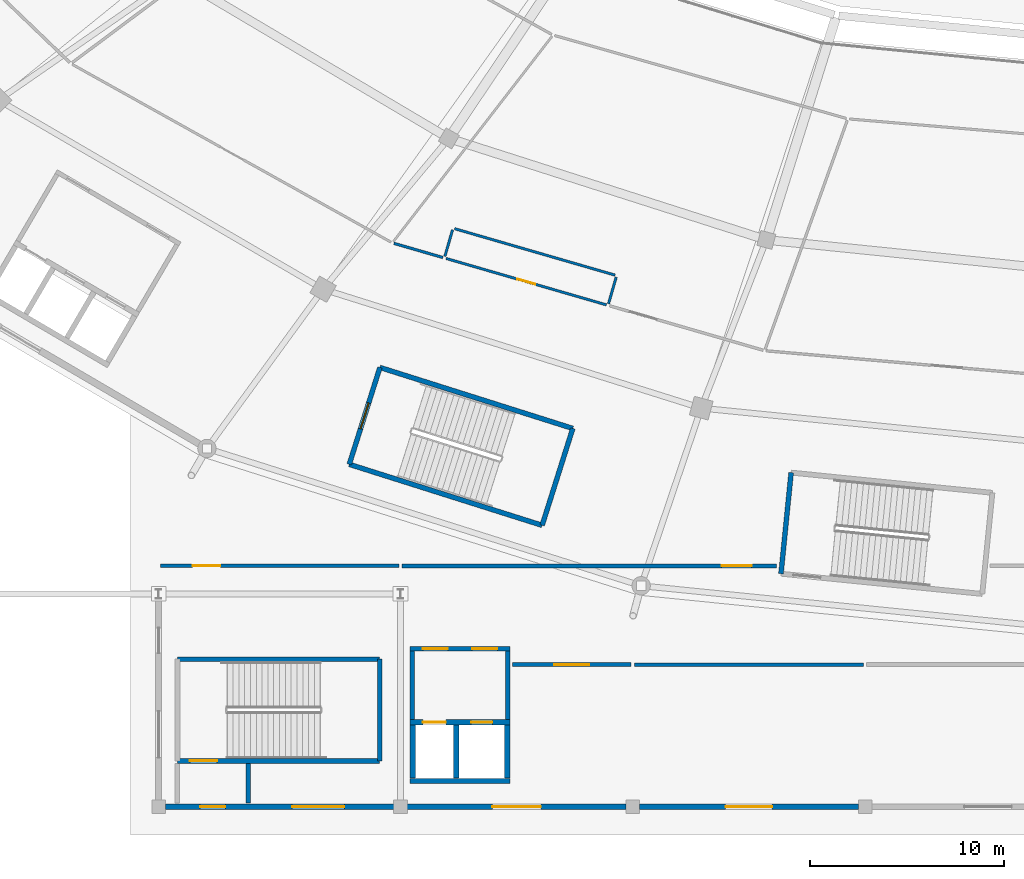
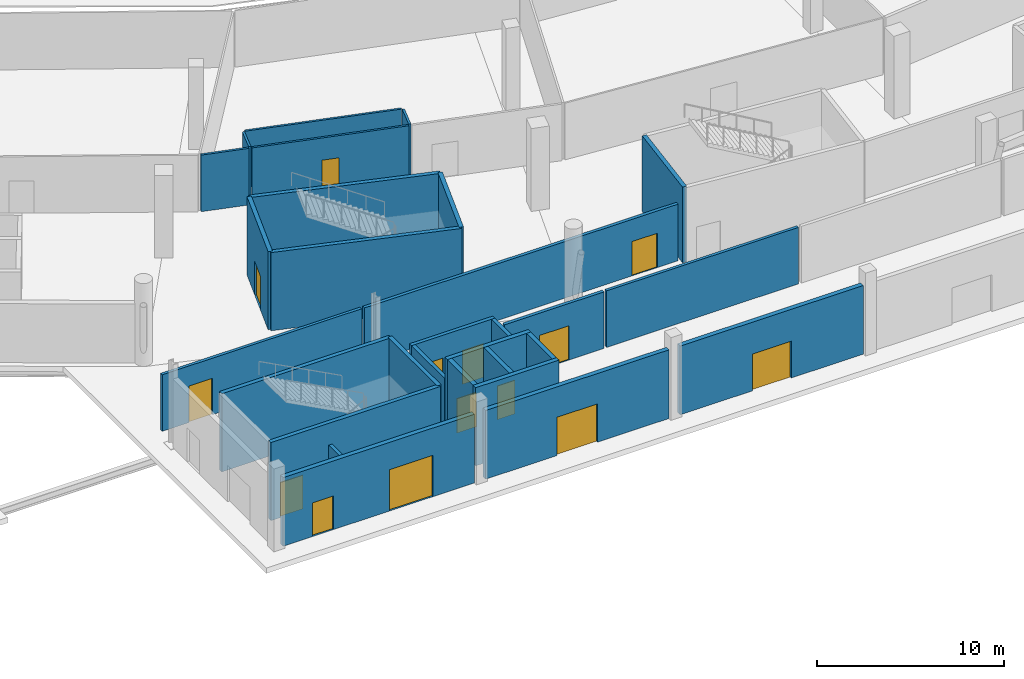
# One storey, part 38 of 82: 29 walls, 14 doors, 14 openings.
"""IFC4 building model written with IfcOpenShell, lengths in metres."""

from ifc_helpers import new_model, si_unit, direction, frame, frame_2d, origin, place, context, subcontext, project, spatial, rectangle, extrude, material, layer, layer_set, type_object, element, fill, save


model = new_model("IFC4")

# Units and contexts
model_context = context("Model", 3, precision=1e-05, world=origin(), true_north=direction((0.0, 1.0)))
body_context = subcontext(model_context, "Body", "Model", "MODEL_VIEW")
ifc_project = project(units=[si_unit("LENGTHUNIT", "METRE"), si_unit("AREAUNIT", "SQUARE_METRE"), si_unit("VOLUMEUNIT", "CUBIC_METRE"), si_unit("PLANEANGLEUNIT", "RADIAN"), si_unit("MASSUNIT", "GRAM", prefix="KILO")], contexts=[model_context])

# Site, building, storey
site_placement = place(None, origin())
site = spatial("IfcSite", under=ifc_project, at=site_placement, CompositionType="ELEMENT")
building_placement = place(site_placement, origin())
building = spatial("IfcBuilding", under=site, at=building_placement, Name="Zlatoyarsky Gate Stadium", CompositionType="ELEMENT")
storey_placement = place(building_placement, origin())
storey = spatial("IfcBuildingStorey", under=building, at=storey_placement, Name="L00", CompositionType="ELEMENT", Elevation=0.0)

# Wall
ifc_material_1 = material(Name="Moisture-resistant masonry partition", Category="masonry")
ifc_layer_1 = layer(ifc_material_1, 0.139892578125)
ifc_layer_set_1 = layer_set([ifc_layer_1], Name="Moisture-resistant masonry partition")
wall_type_1 = type_object("IfcWallType", Name="ATHLETE CHANGING BLOCK PARTITION 140", PredefinedType="PARTITIONING", material=ifc_layer_set_1)
wall_1_placement = place(storey_placement, frame((74.160400390625, 29.109619140625, 0.0), z_axis=(0.0, 0.0, 1.0), x_axis=(0.960526414814, -0.278188796405, 0.0)))
element("IfcWall", 1, at=wall_1_placement, inside=storey, type_object=wall_type_1, Name="L00 interior partition PRT-L00-WCL-16", PredefinedType="PARTITIONING", context=body_context, shape_type="SweptSolid", body=[
    extrude(rectangle(XDim=2.630126953125, YDim=0.139892578125, at=frame_2d((1.31494140625, 0.0))), origin(), (0.0, 0.0, 1.0), 3.68994140625),
])

# Wall, opening, door
ifc_material_2 = material(Name="Gypsum-clad mineral wool fire partition", Category="gypsum")
ifc_layer_2 = layer(ifc_material_2, 0.199951171875)
ifc_layer_set_2 = layer_set([ifc_layer_2], Name="Gypsum-clad mineral wool fire partition")
wall_type_2 = type_object("IfcWallType", Name="COMPARTMENT FIRE PARTITION WALL 200", PredefinedType="PARTITIONING", material=ifc_layer_set_2)
wall_2_placement = place(storey_placement, frame((74.5849609375, 12.449951171875, 0.0), z_axis=(0.0, 0.0, 1.0), x_axis=(1.0, 0.0, 0.0)))
wall_2 = element("IfcWall", 2, at=wall_2_placement, inside=storey, type_object=wall_type_2, Name="L00 interior partition PRT-L00-V3SC-NW1B", PredefinedType="PARTITIONING", context=body_context, shape_type="SweptSolid", body=[
    extrude(rectangle(XDim=19.350830078125, YDim=0.199951171875, at=frame_2d((9.67529296875, 0.0))), origin(), (0.0, 0.0, 1.0), 3.68994140625),
])
opening_1_placement = place(wall_2_placement, frame((16.5, 0.0, 0.0)))
opening_1 = element("IfcOpeningElement", 3, at=opening_1_placement, cuts=wall_2, Name="Opening D-L00-198", PredefinedType="OPENING", context=body_context, shape_type="SweptSolid", body=[
    extrude(rectangle(XDim=1.56005859375, YDim=2.239990234375, at=frame_2d((0.780029296875, 1.1201171875))), frame((0.0, 0.10986328125, 0.0), z_axis=(0.0, -1.0, 0.0), x_axis=(1.0, 0.0, 0.0)), (0.0, 0.0, 1.0), 0.219970703125),
])
ifc_material_3 = material(Name="Powder-coated steel fire door", Category="steel")
door_type_1 = type_object("IfcDoorType", Name="ACOUSTIC INTERIOR DOOR 1560X2240", OperationType="NOTDEFINED", PredefinedType="DOOR", material=ifc_material_3)
door_1_placement = place(opening_1_placement, origin())
door_1 = element("IfcDoor", 4, at=door_1_placement, inside=storey, type_object=door_type_1, Name="L00 room door D-L00-198", OperationType="SINGLE_SWING_RIGHT", OverallHeight=2.239990234375, OverallWidth=1.56005859375, PredefinedType="DOOR", context=body_context, shape_type="SweptSolid", body=[
    extrude(rectangle(XDim=1.56005859375, YDim=2.239990234375, at=frame_2d((0.780029296875, 1.1201171875))), frame((0.0, 0.02490234375, 0.0), z_axis=(0.0, -1.0, 0.0), x_axis=(1.0, 0.0, 0.0)), (0.0, 0.0, 1.0), 0.050048828125),
])
fill(opening_1, door_1)

wall_3_placement = place(storey_placement, frame((80.284912109375, 7.35009765625, 0.0), z_axis=(0.0, 0.0, 1.0), x_axis=(1.0, 0.0, 0.0)))
wall_3 = element("IfcWall", 5, at=wall_3_placement, inside=storey, type_object=wall_type_2, Name="L00 interior partition PRT-L00-V3SC-S3_1", PredefinedType="PARTITIONING", context=body_context, shape_type="SweptSolid", body=[
    extrude(rectangle(XDim=6.130126953125, YDim=0.199951171875, at=frame_2d((3.06494140625, 0.0))), origin(), (0.0, 0.0, 1.0), 3.68994140625),
])
opening_2_placement = place(wall_3_placement, frame((2.155029296875, 0.0, 0.0)))
opening_2 = element("IfcOpeningElement", 6, at=opening_2_placement, cuts=wall_3, Name="Opening D-L00-202", PredefinedType="OPENING", context=body_context, shape_type="SweptSolid", body=[
    extrude(rectangle(XDim=1.820068359375, YDim=2.239990234375, at=frame_2d((0.91015625, 1.1201171875))), frame((0.0, 0.10986328125, 0.0), z_axis=(0.0, -1.0, 0.0), x_axis=(1.0, 0.0, 0.0)), (0.0, 0.0, 1.0), 0.219970703125),
])
door_type_2 = type_object("IfcDoorType", Name="ACOUSTIC INTERIOR DOOR 1820X2240", OperationType="NOTDEFINED", PredefinedType="DOOR", material=ifc_material_3)
door_2_placement = place(opening_2_placement, origin())
door_2 = element("IfcDoor", 7, at=door_2_placement, inside=storey, type_object=door_type_2, Name="L00 room door D-L00-202", OperationType="SINGLE_SWING_RIGHT", OverallHeight=2.239990234375, OverallWidth=1.820068359375, PredefinedType="DOOR", context=body_context, shape_type="SweptSolid", body=[
    extrude(rectangle(XDim=1.820068359375, YDim=2.239990234375, at=frame_2d((0.91015625, 1.1201171875))), frame((0.0, 0.02490234375, 0.0), z_axis=(0.0, -1.0, 0.0), x_axis=(1.0, 0.0, 0.0)), (0.0, 0.0, 1.0), 0.050048828125),
])
fill(opening_2, door_2)

# Walls
ifc_material_4 = material(Name="Concrete C40/50", Category="concrete")
ifc_layer_3 = layer(ifc_material_4, 0.27001953125)
ifc_layer_set_3 = layer_set([ifc_layer_3], Name="Concrete C40/50")
wall_type_3 = type_object("IfcWallType", Name="CONCRETE LIFT SHAFT SHEAR WALL 270", PredefinedType="SHEAR", material=ifc_layer_set_3)
wall_4_placement = place(storey_placement, frame((75.0, 1.3349609375, 0.0), z_axis=(0.0, 0.0, 1.0), x_axis=(1.0, 0.0, 0.0)))
element("IfcWall", 8, at=wall_4_placement, inside=storey, type_object=wall_type_3, Name="C6 L00 lift shaft rear wall", PredefinedType="SHEAR", context=body_context, shape_type="SweptSolid", body=[
    extrude(rectangle(XDim=5.14990234375, YDim=0.27001953125, at=frame_2d((2.574951171875, 0.0))), origin(), (0.0, 0.0, 1.0), 5.10009765625),
])
for number, where, z_axis, x_axis, name in (
    (9, (75.135009765625, 1.47998046875, 0.0), (0.0, 0.0, 1.0), (0.0, 1.0, 0.0), "C6 L00 lift shaft left wall"),
    (10, (80.014892578125, 1.47998046875, 0.0), (0.0, 0.0, 1.0), (0.0, 1.0, 0.0), "C6 L00 lift shaft right wall"),
    (11, (77.375, 1.47998046875, 0.0), (0.0, 0.0, 1.0), (0.0, 1.0, 0.0), "C6 L00 lift shaft divider 1"),
):
    element("IfcWall", number, at=place(storey_placement, frame(where, z_axis=z_axis, x_axis=x_axis)), inside=storey, type_object=wall_type_3, Name=name, PredefinedType="SHEAR", context=body_context, shape_type="SweptSolid", body=[
        extrude(rectangle(XDim=2.739990234375, YDim=0.27001953125, at=frame_2d((1.3701171875, 0.0))), origin(), (0.0, 0.0, 1.0), 5.10009765625),
    ])

# Wall, openings, doors
wall_5_placement = place(storey_placement, frame((75.0, 4.364990234375, 0.0), z_axis=(0.0, 0.0, 1.0), x_axis=(1.0, 0.0, 0.0)))
wall_5 = element("IfcWall", 12, at=wall_5_placement, inside=storey, type_object=wall_type_3, Name="C6 L00 lift landing front wall", PredefinedType="SHEAR", context=body_context, shape_type="SweptSolid", body=[
    extrude(rectangle(XDim=5.14990234375, YDim=0.27001953125, at=frame_2d((2.574951171875, 0.0))), origin(), (0.0, 0.0, 1.0), 5.10009765625),
])
opening_3_placement = place(wall_5_placement, frame((0.64990234375, 0.0, 0.0)))
opening_3 = element("IfcOpeningElement", 13, at=opening_3_placement, cuts=wall_5, Name="Opening LD-FL-06-L00", PredefinedType="OPENING", context=body_context, shape_type="SweptSolid", body=[
    extrude(rectangle(XDim=1.199951171875, YDim=2.25, at=frame_2d((0.60009765625, 1.125))), frame((0.0, 0.14501953125, 0.0), z_axis=(0.0, -1.0, 0.0), x_axis=(1.0, 0.0, 0.0)), (0.0, 0.0, 1.0), 0.2900390625),
])
opening_4_placement = place(wall_5_placement, frame((3.14990234375, 0.0, 0.0)))
opening_4 = element("IfcOpeningElement", 14, at=opening_4_placement, cuts=wall_5, Name="Opening LD-LF-10-L00", PredefinedType="OPENING", context=body_context, shape_type="SweptSolid", body=[
    extrude(rectangle(XDim=1.10009765625, YDim=2.199951171875, at=frame_2d((0.550048828125, 1.10009765625))), frame((0.0, 0.14501953125, 0.0), z_axis=(0.0, -1.0, 0.0), x_axis=(1.0, 0.0, 0.0)), (0.0, 0.0, 1.0), 0.2900390625),
])
door_type_3 = type_object("IfcDoorType", Name="STAINLESS LIFT LANDING SLIDING DOOR 1100X2200", OperationType="DOUBLE_DOOR_SLIDING", PredefinedType="DOOR", material=ifc_material_3)
door_3_placement = place(opening_4_placement, origin())
door_3 = element("IfcDoor", 15, at=door_3_placement, inside=storey, type_object=door_type_3, Name="Lift LF-10 L00 sliding landing door", OperationType="DOUBLE_DOOR_SLIDING", OverallHeight=2.199951171875, OverallWidth=1.10009765625, PredefinedType="DOOR", context=body_context, shape_type="SweptSolid", body=[
    extrude(rectangle(XDim=1.10009765625, YDim=2.199951171875, at=frame_2d((0.550048828125, 1.10009765625))), frame((0.0, 0.02490234375, 0.0), z_axis=(0.0, -1.0, 0.0), x_axis=(1.0, 0.0, 0.0)), (0.0, 0.0, 1.0), 0.050048828125),
])
fill(opening_4, door_3)
door_type_4 = type_object("IfcDoorType", Name="STAINLESS LIFT LANDING SLIDING DOOR 1200X2250", OperationType="DOUBLE_DOOR_SLIDING", PredefinedType="DOOR", material=ifc_material_3)
door_4_placement = place(opening_3_placement, origin())
door_4 = element("IfcDoor", 16, at=door_4_placement, inside=storey, type_object=door_type_4, Name="Lift FL-06 L00 sliding landing door", OperationType="DOUBLE_DOOR_SLIDING", OverallHeight=2.25, OverallWidth=1.199951171875, PredefinedType="DOOR", context=body_context, shape_type="SweptSolid", body=[
    extrude(rectangle(XDim=1.199951171875, YDim=2.25, at=frame_2d((0.60009765625, 1.125))), frame((0.0, 0.02490234375, 0.0), z_axis=(0.0, -1.0, 0.0), x_axis=(1.0, 0.0, 0.0)), (0.0, 0.0, 1.0), 0.050048828125),
])
fill(opening_3, door_4)

# Wall, opening, door
ifc_layer_4 = layer(ifc_material_4, 0.25)
ifc_layer_set_4 = layer_set([ifc_layer_4], Name="Concrete C40/50")
wall_type_4 = type_object("IfcWallType", Name="CONCRETE STAIR CORE SHEAR WALL 250", PredefinedType="SHEAR", material=ifc_layer_set_4)
wall_6_placement = place(storey_placement, frame((73.436767578125, 22.69873046875, 0.0), z_axis=(0.0, 0.0, 1.0), x_axis=(-0.30152749866, -0.953457480726, 0.0)))
wall_6 = element("IfcWall", 17, at=wall_6_placement, inside=storey, type_object=wall_type_4, Name="ST-09 L00 stair core entrance shear wall", PredefinedType="SHEAR", context=body_context, shape_type="SweptSolid", body=[
    extrude(rectangle(XDim=5.25, YDim=0.25, at=frame_2d((2.625, 0.0))), origin(), (0.0, 0.0, 1.0), 5.10009765625),
])
opening_5_placement = place(wall_6_placement, frame((1.925048828125, 0.0, 0.0)))
opening_5 = element("IfcOpeningElement", 18, at=opening_5_placement, cuts=wall_6, Name="Opening SD-ST-09-L00", PredefinedType="OPENING", context=body_context, shape_type="SweptSolid", body=[
    extrude(rectangle(XDim=1.39990234375, YDim=2.199951171875, at=frame_2d((0.699951171875, 1.10009765625))), frame((0.0, 0.135009765625, 0.0), z_axis=(0.0, -1.0, 0.0), x_axis=(1.0, 0.0, 0.0)), (0.0, 0.0, 1.0), 0.27001953125),
])
door_type_5 = type_object("IfcDoorType", Name="STAIR CORE FIRE EXIT DOOR 1400X2200", OperationType="NOTDEFINED", PredefinedType="DOOR", material=ifc_material_3)
door_5_placement = place(opening_5_placement, frame((1.39990234375, 0.0, 0.0), z_axis=(0.0, 0.0, 1.0), x_axis=(-1.0, 0.0, 0.0)))
door_5 = element("IfcDoor", 19, at=door_5_placement, inside=storey, type_object=door_type_5, Name="ST-09 L00 stair fire door", OperationType="SINGLE_SWING_LEFT", OverallHeight=2.199951171875, OverallWidth=1.39990234375, PredefinedType="DOOR", context=body_context, shape_type="SweptSolid", body=[
    extrude(rectangle(XDim=1.39990234375, YDim=2.199951171875, at=frame_2d((0.699951171875, 1.10009765625))), frame((0.0, 0.02490234375, 0.0), z_axis=(0.0, -1.0, 0.0), x_axis=(1.0, 0.0, 0.0)), (0.0, 0.0, 1.0), 0.050048828125),
])
fill(opening_5, door_5)

# Walls
wall_7_placement = place(storey_placement, frame((71.853759765625, 17.693115234375, 0.0), z_axis=(0.0, 0.0, 1.0), x_axis=(0.953461834254, -0.301513732061, 0.0)))
element("IfcWall", 20, at=wall_7_placement, inside=storey, type_object=wall_type_4, Name="ST-09 L00 stair core left shear wall", PredefinedType="SHEAR", context=body_context, shape_type="SweptSolid", body=[
    extrude(rectangle(XDim=10.4501953125, YDim=0.25, at=frame_2d((5.22509765625, 0.0))), origin(), (0.0, 0.0, 1.0), 5.10009765625),
])
wall_8_placement = place(storey_placement, frame((81.817626953125, 14.542236328125, 0.0), z_axis=(0.0, 0.0, 1.0), x_axis=(0.301485222482, 0.953470849384, 0.0)))
element("IfcWall", 21, at=wall_8_placement, inside=storey, type_object=wall_type_4, Name="ST-09 L00 stair core far shear wall", PredefinedType="SHEAR", context=body_context, shape_type="SweptSolid", body=[
    extrude(rectangle(XDim=5.25, YDim=0.25, at=frame_2d((2.625, 0.0))), origin(), (0.0, 0.0, 1.0), 5.10009765625),
])
wall_9_placement = place(storey_placement, frame((83.400390625, 19.5478515625, 0.0), z_axis=(0.0, 0.0, 1.0), x_axis=(-0.953459710305, 0.301520448438, 0.0)))
element("IfcWall", 22, at=wall_9_placement, inside=storey, type_object=wall_type_4, Name="ST-09 L00 stair core right shear wall", PredefinedType="SHEAR", context=body_context, shape_type="SweptSolid", body=[
    extrude(rectangle(XDim=10.449951171875, YDim=0.25, at=frame_2d((5.22509765625, 0.0))), origin(), (0.0, 0.0, 1.0), 5.10009765625),
])
wall_10_placement = place(storey_placement, frame((94.680908203125, 17.26611328125, 0.0), z_axis=(0.0, 0.0, 1.0), x_axis=(-0.10002396577, -0.994985028165, 0.0)))
element("IfcWall", 23, at=wall_10_placement, inside=storey, type_object=wall_type_4, Name="ST-19 L00 stair core entrance shear wall", PredefinedType="SHEAR", context=body_context, shape_type="SweptSolid", body=[
    extrude(rectangle(XDim=5.250244140625, YDim=0.25, at=frame_2d((2.625, 0.0))), origin(), (0.0, 0.0, 1.0), 4.93994140625),
])

# Wall, opening, door
wall_11_placement = place(storey_placement, frame((62.97509765625, 2.375, 0.0), z_axis=(0.0, 0.0, 1.0), x_axis=(1.0, 0.0, 0.0)))
wall_11 = element("IfcWall", 24, at=wall_11_placement, inside=storey, type_object=wall_type_4, Name="ST-29 L00 stair core left shear wall", PredefinedType="SHEAR", context=body_context, shape_type="SweptSolid", body=[
    extrude(rectangle(XDim=10.449951171875, YDim=0.25, at=frame_2d((5.22509765625, 0.0))), origin(), (0.0, 0.0, 1.0), 5.10009765625),
])
opening_6_placement = place(wall_11_placement, frame((0.64990234375, 0.0, 0.0)))
opening_6 = element("IfcOpeningElement", 25, at=opening_6_placement, cuts=wall_11, Name="Opening SD-ST-29-L00", PredefinedType="OPENING", context=body_context, shape_type="SweptSolid", body=[
    extrude(rectangle(XDim=1.39990234375, YDim=2.199951171875, at=frame_2d((0.699951171875, 1.10009765625))), frame((0.0, 0.135009765625, 0.0), z_axis=(0.0, -1.0, 0.0), x_axis=(1.0, 0.0, 0.0)), (0.0, 0.0, 1.0), 0.27001953125),
])
door_6_placement = place(opening_6_placement, frame((1.39990234375, 0.0, 0.0), z_axis=(0.0, 0.0, 1.0), x_axis=(-1.0, 0.0, 0.0)))
door_6 = element("IfcDoor", 26, at=door_6_placement, inside=storey, type_object=door_type_5, Name="ST-29 L00 protected exit discharge fire door", OperationType="SINGLE_SWING_RIGHT", OverallHeight=2.199951171875, OverallWidth=1.39990234375, PredefinedType="DOOR", context=body_context, shape_type="SweptSolid", body=[
    extrude(rectangle(XDim=1.39990234375, YDim=2.199951171875, at=frame_2d((0.699951171875, 1.10009765625))), frame((0.0, 0.02490234375, 0.0), z_axis=(0.0, -1.0, 0.0), x_axis=(1.0, 0.0, 0.0)), (0.0, 0.0, 1.0), 0.050048828125),
])
fill(opening_6, door_6)

# Walls
wall_12_placement = place(storey_placement, frame((73.425048828125, 2.375, 0.0), z_axis=(0.0, 0.0, 1.0), x_axis=(0.0, 1.0, 0.0)))
element("IfcWall", 27, at=wall_12_placement, inside=storey, type_object=wall_type_4, Name="ST-29 L00 stair core far shear wall", PredefinedType="SHEAR", context=body_context, shape_type="SweptSolid", body=[
    extrude(rectangle(XDim=5.25, YDim=0.25, at=frame_2d((2.625, 0.0))), origin(), (0.0, 0.0, 1.0), 5.10009765625),
])
wall_13_placement = place(storey_placement, frame((73.425048828125, 7.625, 0.0), z_axis=(0.0, 0.0, 1.0), x_axis=(-1.0, 0.0, 0.0)))
element("IfcWall", 28, at=wall_13_placement, inside=storey, type_object=wall_type_4, Name="ST-29 L00 stair core right shear wall", PredefinedType="SHEAR", context=body_context, shape_type="SweptSolid", body=[
    extrude(rectangle(XDim=10.449951171875, YDim=0.25, at=frame_2d((5.22509765625, 0.0))), origin(), (0.0, 0.0, 1.0), 5.10009765625),
])
ifc_material_5 = material(Name="Autoclaved aerated concrete masonry EI 120", Category="masonry")
ifc_layer_5 = layer(ifc_material_5, 0.219970703125)
ifc_layer_set_5 = layer_set([ifc_layer_5], Name="Autoclaved aerated concrete masonry EI 120")
wall_type_5 = type_object("IfcWallType", Name="FIREFIGHTING LOBBY RATED WALL 220", PredefinedType="PARTITIONING", material=ifc_layer_set_5)
wall_14_placement = place(storey_placement, frame((66.639892578125, 0.18994140625, 0.0), z_axis=(0.0, 0.0, 1.0), x_axis=(0.0, 1.0, 0.0)))
element("IfcWall", 29, at=wall_14_placement, inside=storey, type_object=wall_type_5, Name="ST-29 L00 protected exit lobby EI 120 wall 2", PredefinedType="PARTITIONING", context=body_context, shape_type="SweptSolid", body=[
    extrude(rectangle(XDim=2.050048828125, YDim=0.219970703125, at=frame_2d((1.02490234375, 0.0))), origin(), (0.0, 0.0, 1.0), 3.68994140625),
])
for number, where, z_axis, x_axis, name in (
    (30, (75.110107421875, 4.52001953125, 0.0), (0.0, 0.0, 1.0), (0.0, 1.0, 0.0), "C6 L00 firefighting lobby left wall"),
    (31, (80.0400390625, 4.52001953125, 0.0), (0.0, 0.0, 1.0), (0.0, 1.0, 0.0), "C6 L00 firefighting lobby right wall"),
):
    element("IfcWall", number, at=place(storey_placement, frame(where, z_axis=z_axis, x_axis=x_axis)), inside=storey, type_object=wall_type_5, Name=name, PredefinedType="PARTITIONING", context=body_context, shape_type="SweptSolid", body=[
        extrude(rectangle(XDim=3.530029296875, YDim=0.219970703125, at=frame_2d((1.76513671875, 0.0))), origin(), (0.0, 0.0, 1.0), 3.68994140625),
    ])

# Wall, openings, doors
wall_15_placement = place(storey_placement, frame((75.0, 8.159912109375, 0.0), z_axis=(0.0, 0.0, 1.0), x_axis=(1.0, 0.0, 0.0)))
wall_15 = element("IfcWall", 32, at=wall_15_placement, inside=storey, type_object=wall_type_5, Name="C6 L00 firefighting lobby front wall", PredefinedType="PARTITIONING", context=body_context, shape_type="SweptSolid", body=[
    extrude(rectangle(XDim=5.14990234375, YDim=0.219970703125, at=frame_2d((2.574951171875, 0.0))), origin(), (0.0, 0.0, 1.0), 3.68994140625),
])
opening_7_placement = place(wall_15_placement, frame((0.64990234375, 0.0, 0.0)))
opening_7 = element("IfcOpeningElement", 33, at=opening_7_placement, cuts=wall_15, Name="Opening FD-C6-L00-A", PredefinedType="OPENING", context=body_context, shape_type="SweptSolid", body=[
    extrude(rectangle(XDim=1.300048828125, YDim=2.199951171875, at=frame_2d((0.64990234375, 1.10009765625))), frame((0.0, 0.119873046875, 0.0), z_axis=(0.0, -1.0, 0.0), x_axis=(1.0, 0.0, 0.0)), (0.0, 0.0, 1.0), 0.239990234375),
])
opening_8_placement = place(wall_15_placement, frame((3.199951171875, 0.0, 0.0)))
opening_8 = element("IfcOpeningElement", 34, at=opening_8_placement, cuts=wall_15, Name="Opening FD-C6-L00-B", PredefinedType="OPENING", context=body_context, shape_type="SweptSolid", body=[
    extrude(rectangle(XDim=1.300048828125, YDim=2.199951171875, at=frame_2d((0.64990234375, 1.10009765625))), frame((0.0, 0.119873046875, 0.0), z_axis=(0.0, -1.0, 0.0), x_axis=(1.0, 0.0, 0.0)), (0.0, 0.0, 1.0), 0.239990234375),
])
door_type_6 = type_object("IfcDoorType", Name="FIREFIGHTING LOBBY FIRE DOOR 1300X2200", OperationType="NOTDEFINED", PredefinedType="DOOR", material=ifc_material_3)
door_7_placement = place(opening_7_placement, origin())
door_7 = element("IfcDoor", 35, at=door_7_placement, inside=storey, type_object=door_type_6, Name="C6 L00 firefighting lobby fire door FD-C6-L00-A", OperationType="SINGLE_SWING_LEFT", OverallHeight=2.199951171875, OverallWidth=1.300048828125, PredefinedType="DOOR", context=body_context, shape_type="SweptSolid", body=[
    extrude(rectangle(XDim=1.300048828125, YDim=2.199951171875, at=frame_2d((0.64990234375, 1.10009765625))), frame((0.0, 0.02490234375, 0.0), z_axis=(0.0, -1.0, 0.0), x_axis=(1.0, 0.0, 0.0)), (0.0, 0.0, 1.0), 0.050048828125),
])
fill(opening_7, door_7)
door_8_placement = place(opening_8_placement, origin())
door_8 = element("IfcDoor", 36, at=door_8_placement, inside=storey, type_object=door_type_6, Name="C6 L00 firefighting lobby fire door FD-C6-L00-B", OperationType="SINGLE_SWING_RIGHT", OverallHeight=2.199951171875, OverallWidth=1.300048828125, PredefinedType="DOOR", context=body_context, shape_type="SweptSolid", body=[
    extrude(rectangle(XDim=1.300048828125, YDim=2.199951171875, at=frame_2d((0.64990234375, 1.10009765625))), frame((0.0, 0.02490234375, 0.0), z_axis=(0.0, -1.0, 0.0), x_axis=(1.0, 0.0, 0.0)), (0.0, 0.0, 1.0), 0.050048828125),
])
fill(opening_8, door_8)

ifc_material_6 = material(Name="Precast concrete C40/50 architectural panel", Category="concrete")
ifc_layer_6 = layer(ifc_material_6, 0.280029296875)
ifc_layer_set_6 = layer_set([ifc_layer_6], Name="Precast concrete C40/50 architectural panel")
wall_type_6 = type_object("IfcWallType", Name="INSULATED WING SPANDREL WALL 280", PredefinedType="STANDARD", material=ifc_layer_set_6)
wall_16_placement = place(storey_placement, frame((62.346923828125, 0.0, 0.0), z_axis=(0.0, 0.0, 1.0), x_axis=(1.0, 0.0, 0.0)))
wall_16 = element("IfcWall", 37, at=wall_16_placement, inside=storey, type_object=wall_type_6, Name="V3_SOUTH L00 S exterior wall", PredefinedType="STANDARD", context=body_context, shape_type="SweptSolid", body=[
    extrude(rectangle(XDim=11.80615234375, YDim=0.280029296875, at=frame_2d((5.903076171875, 0.0))), origin(), (0.0, 0.0, 1.0), 4.47998046875),
])
opening_9_placement = place(wall_16_placement, frame((1.802978515625, 0.0, 0.0)))
opening_9 = element("IfcOpeningElement", 38, at=opening_9_placement, cuts=wall_16, Name="Opening ED-ST29", PredefinedType="OPENING", context=body_context, shape_type="SweptSolid", body=[
    extrude(rectangle(XDim=1.300048828125, YDim=2.199951171875, at=frame_2d((0.64990234375, 1.10009765625))), frame((0.0, 0.14990234375, 0.0), z_axis=(0.0, -1.0, 0.0), x_axis=(1.0, 0.0, 0.0)), (0.0, 0.0, 1.0), 0.300048828125),
])
opening_10_placement = place(wall_16_placement, frame((6.549560546875, 0.0, 0.0)))
opening_10 = element("IfcOpeningElement", 39, at=opening_10_placement, cuts=wall_16, Name="Opening E11", PredefinedType="OPENING", context=body_context, shape_type="SweptSolid", body=[
    extrude(rectangle(XDim=2.699951171875, YDim=2.699951171875, at=frame_2d((1.35009765625, 1.35009765625))), frame((0.0, 0.14990234375, 0.0), z_axis=(0.0, -1.0, 0.0), x_axis=(1.0, 0.0, 0.0)), (0.0, 0.0, 1.0), 0.300048828125),
])
ifc_material_7 = material(Name="Thermally broken powder-coated steel and laminated safety glass", Category="steel")
door_type_7 = type_object("IfcDoorType", Name="MONUMENTAL GATE ENTRANCE DOOR 2700X2700", OperationType="DOUBLE_DOOR_SINGLE_SWING", PredefinedType="DOOR", material=ifc_material_7)
door_9_placement = place(opening_10_placement, frame((2.699951171875, 0.0, 0.0), z_axis=(0.0, 0.0, 1.0), x_axis=(-1.0, 0.0, 0.0)))
door_9 = element("IfcDoor", 40, at=door_9_placement, inside=storey, type_object=door_type_7, Name="Exterior door E11", OperationType="DOUBLE_DOOR_SINGLE_SWING", OverallHeight=2.699951171875, OverallWidth=2.699951171875, PredefinedType="DOOR", context=body_context, shape_type="SweptSolid", body=[
    extrude(rectangle(XDim=2.699951171875, YDim=2.699951171875, at=frame_2d((1.35009765625, 1.35009765625))), frame((0.0, 0.02490234375, 0.0), z_axis=(0.0, -1.0, 0.0), x_axis=(1.0, 0.0, 0.0)), (0.0, 0.0, 1.0), 0.050048828125),
])
fill(opening_10, door_9)
door_type_8 = type_object("IfcDoorType", Name="STAIR DISCHARGE FIRE EXIT DOOR 1300X2200", OperationType="NOTDEFINED", PredefinedType="DOOR", material=ifc_material_7)
door_10_placement = place(opening_9_placement, frame((1.300048828125, 0.0, 0.0), z_axis=(0.0, 0.0, 1.0), x_axis=(-1.0, 0.0, 0.0)))
door_10 = element("IfcDoor", 41, at=door_10_placement, inside=storey, type_object=door_type_8, Name="Exterior door ED-ST29", OperationType="SINGLE_SWING_LEFT", OverallHeight=2.199951171875, OverallWidth=1.300048828125, PredefinedType="DOOR", context=body_context, shape_type="SweptSolid", body=[
    extrude(rectangle(XDim=1.300048828125, YDim=2.199951171875, at=frame_2d((0.64990234375, 1.10009765625))), frame((0.0, 0.02490234375, 0.0), z_axis=(0.0, -1.0, 0.0), x_axis=(1.0, 0.0, 0.0)), (0.0, 0.0, 1.0), 0.050048828125),
])
fill(opening_9, door_10)

# Wall, opening, door
wall_17_placement = place(storey_placement, frame((74.846923828125, 0.0, 0.0), z_axis=(0.0, 0.0, 1.0), x_axis=(1.0, 0.0, 0.0)))
wall_17 = element("IfcWall", 42, at=wall_17_placement, inside=storey, type_object=wall_type_6, Name="V3_SOUTH L00 S exterior wall", PredefinedType="STANDARD", context=body_context, shape_type="SweptSolid", body=[
    extrude(rectangle(XDim=11.30615234375, YDim=0.280029296875, at=frame_2d((5.653076171875, 0.0))), origin(), (0.0, 0.0, 1.0), 4.47998046875),
])
opening_11_placement = place(wall_17_placement, frame((4.403076171875, 0.0, 0.0)))
opening_11 = element("IfcOpeningElement", 43, at=opening_11_placement, cuts=wall_17, Name="Opening E12", PredefinedType="OPENING", context=body_context, shape_type="SweptSolid", body=[
    extrude(rectangle(XDim=2.5, YDim=2.5, at=frame_2d((1.25, 1.25))), frame((0.0, 0.14990234375, 0.0), z_axis=(0.0, -1.0, 0.0), x_axis=(1.0, 0.0, 0.0)), (0.0, 0.0, 1.0), 0.300048828125),
])
door_type_9 = type_object("IfcDoorType", Name="PAVILION ENTRANCE DOUBLE DOOR 2500X2500", OperationType="DOUBLE_DOOR_SINGLE_SWING", PredefinedType="DOOR", material=ifc_material_7)
door_11_placement = place(opening_11_placement, frame((2.5, 0.0, 0.0), z_axis=(0.0, 0.0, 1.0), x_axis=(-1.0, 0.0, 0.0)))
door_11 = element("IfcDoor", 44, at=door_11_placement, inside=storey, type_object=door_type_9, Name="Exterior door E12", OperationType="DOUBLE_DOOR_SINGLE_SWING", OverallHeight=2.5, OverallWidth=2.5, PredefinedType="DOOR", context=body_context, shape_type="SweptSolid", body=[
    extrude(rectangle(XDim=2.5, YDim=2.5, at=frame_2d((1.25, 1.25))), frame((0.0, 0.02490234375, 0.0), z_axis=(0.0, -1.0, 0.0), x_axis=(1.0, 0.0, 0.0)), (0.0, 0.0, 1.0), 0.050048828125),
])
fill(opening_11, door_11)

wall_18_placement = place(storey_placement, frame((86.846923828125, 0.0, 0.0), z_axis=(0.0, 0.0, 1.0), x_axis=(1.0, 0.0, 0.0)))
wall_18 = element("IfcWall", 45, at=wall_18_placement, inside=storey, type_object=wall_type_6, Name="V3_SOUTH L00 S exterior wall", PredefinedType="STANDARD", context=body_context, shape_type="SweptSolid", body=[
    extrude(rectangle(XDim=11.30615234375, YDim=0.280029296875, at=frame_2d((5.653076171875, 0.0))), origin(), (0.0, 0.0, 1.0), 4.47998046875),
])
opening_12_placement = place(wall_18_placement, frame((4.452880859375, 0.0, 0.0)))
opening_12 = element("IfcOpeningElement", 46, at=opening_12_placement, cuts=wall_18, Name="Opening G13", PredefinedType="OPENING", context=body_context, shape_type="SweptSolid", body=[
    extrude(rectangle(XDim=2.39990234375, YDim=2.39990234375, at=frame_2d((1.199951171875, 1.199951171875))), frame((0.0, 0.14990234375, 0.0), z_axis=(0.0, -1.0, 0.0), x_axis=(1.0, 0.0, 0.0)), (0.0, 0.0, 1.0), 0.300048828125),
])
door_type_10 = type_object("IfcDoorType", Name="PEDESTRIAN FINAL EXIT DOUBLE DOOR 2400X2400", OperationType="DOUBLE_DOOR_SINGLE_SWING", PredefinedType="DOOR", material=ifc_material_7)
door_12_placement = place(opening_12_placement, frame((2.39990234375, 0.0, 0.0), z_axis=(0.0, 0.0, 1.0), x_axis=(-1.0, 0.0, 0.0)))
door_12 = element("IfcDoor", 47, at=door_12_placement, inside=storey, type_object=door_type_10, Name="Exterior door G13", OperationType="DOUBLE_DOOR_SINGLE_SWING", OverallHeight=2.39990234375, OverallWidth=2.39990234375, PredefinedType="DOOR", context=body_context, shape_type="SweptSolid", body=[
    extrude(rectangle(XDim=2.39990234375, YDim=2.39990234375, at=frame_2d((1.199951171875, 1.199951171875))), frame((0.0, 0.02490234375, 0.0), z_axis=(0.0, -1.0, 0.0), x_axis=(1.0, 0.0, 0.0)), (0.0, 0.0, 1.0), 0.050048828125),
])
fill(opening_12, door_12)

ifc_layer_7 = layer(ifc_material_2, 0.179931640625)
ifc_layer_set_7 = layer_set([ifc_layer_7], Name="Gypsum-clad mineral wool fire partition")
wall_type_7 = type_object("IfcWallType", Name="PLANT AND KITCHEN RATED WALL 180", PredefinedType="PARTITIONING", material=ifc_layer_set_7)
wall_19_placement = place(storey_placement, frame((62.10498046875, 12.449951171875, 0.0), z_axis=(0.0, 0.0, 1.0), x_axis=(1.0, 0.0, 0.0)))
wall_19 = element("IfcWall", 48, at=wall_19_placement, inside=storey, type_object=wall_type_7, Name="L00 interior partition PRT-L00-V3SC-NW1A", PredefinedType="PARTITIONING", context=body_context, shape_type="SweptSolid", body=[
    extrude(rectangle(XDim=12.31005859375, YDim=0.179931640625, at=frame_2d((6.155029296875, 0.0))), origin(), (0.0, 0.0, 1.0), 3.68994140625),
])
opening_13_placement = place(wall_19_placement, frame((1.64990234375, 0.0, 0.0)))
opening_13 = element("IfcOpeningElement", 49, at=opening_13_placement, cuts=wall_19, Name="Opening D-L00-197", PredefinedType="OPENING", context=body_context, shape_type="SweptSolid", body=[
    extrude(rectangle(XDim=1.43994140625, YDim=2.3798828125, at=frame_2d((0.719970703125, 1.18994140625))), frame((0.0, 0.099853515625, 0.0), z_axis=(0.0, -1.0, 0.0), x_axis=(1.0, 0.0, 0.0)), (0.0, 0.0, 1.0), 0.199951171875),
])
door_type_11 = type_object("IfcDoorType", Name="ACOUSTIC INTERIOR DOOR 1440X2380", OperationType="NOTDEFINED", PredefinedType="DOOR", material=ifc_material_3)
door_13_placement = place(opening_13_placement, origin())
door_13 = element("IfcDoor", 50, at=door_13_placement, inside=storey, type_object=door_type_11, Name="L00 room door D-L00-197", OperationType="SINGLE_SWING_LEFT", OverallHeight=2.3798828125, OverallWidth=1.43994140625, PredefinedType="DOOR", context=body_context, shape_type="SweptSolid", body=[
    extrude(rectangle(XDim=1.43994140625, YDim=2.3798828125, at=frame_2d((0.719970703125, 1.18994140625))), frame((0.0, 0.02490234375, 0.0), z_axis=(0.0, -1.0, 0.0), x_axis=(1.0, 0.0, 0.0)), (0.0, 0.0, 1.0), 0.050048828125),
])
fill(opening_13, door_13)

# Wall
wall_20_placement = place(storey_placement, frame((86.5849609375, 7.35009765625, 0.0), z_axis=(0.0, 0.0, 1.0), x_axis=(1.0, 0.0, 0.0)))
element("IfcWall", 51, at=wall_20_placement, inside=storey, type_object=wall_type_7, Name="L00 interior partition PRT-L00-V3SC-S3_2", PredefinedType="PARTITIONING", context=body_context, shape_type="SweptSolid", body=[
    extrude(rectangle(XDim=11.830078125, YDim=0.179931640625, at=frame_2d((5.9150390625, 0.0))), origin(), (0.0, 0.0, 1.0), 3.68994140625),
])

# Wall, opening, door
ifc_material_8 = material(Name="Moisture-resistant tile-backed partition", Category="gypsum")
ifc_layer_8 = layer(ifc_material_8, 0.1298828125)
ifc_layer_set_8 = layer_set([ifc_layer_8], Name="Moisture-resistant tile-backed partition")
wall_type_8 = type_object("IfcWallType", Name="SANITARY WET ROOM PARTITION 130", PredefinedType="PARTITIONING", material=ifc_layer_set_8)
wall_21_placement = place(storey_placement, frame((76.85009765625, 28.330810546875, 0.0), z_axis=(0.0, 0.0, 1.0), x_axis=(0.960547560025, -0.278115776127, 0.0)))
wall_21 = element("IfcWall", 52, at=wall_21_placement, inside=storey, type_object=wall_type_8, Name="L00 interior partition PRT-L00-WC16-F", PredefinedType="PARTITIONING", context=body_context, shape_type="SweptSolid", body=[
    extrude(rectangle(XDim=8.630126953125, YDim=0.1298828125, at=frame_2d((4.31494140625, 0.0))), origin(), (0.0, 0.0, 1.0), 3.68994140625),
])
opening_14_placement = place(wall_21_placement, frame((3.835205078125, 0.0, 0.0)))
opening_14 = element("IfcOpeningElement", 53, at=opening_14_placement, cuts=wall_21, Name="Opening D-L00-159", PredefinedType="OPENING", context=body_context, shape_type="SweptSolid", body=[
    extrude(rectangle(XDim=0.9599609375, YDim=2.239990234375, at=frame_2d((0.47998046875, 1.1201171875))), frame((0.0, 0.074951171875, 0.0), z_axis=(0.0, -1.0, 0.0), x_axis=(1.0, 0.0, 0.0)), (0.0, 0.0, 1.0), 0.14990234375),
])
ifc_material_9 = material(Name="Solid-core oak veneer acoustic door", Category="wood")
door_type_12 = type_object("IfcDoorType", Name="ACOUSTIC INTERIOR DOOR 960X2240", OperationType="NOTDEFINED", PredefinedType="DOOR", material=ifc_material_9)
door_14_placement = place(opening_14_placement, origin())
door_14 = element("IfcDoor", 54, at=door_14_placement, inside=storey, type_object=door_type_12, Name="L00 room door D-L00-159", OperationType="SINGLE_SWING_RIGHT", OverallHeight=2.239990234375, OverallWidth=0.9599609375, PredefinedType="DOOR", context=body_context, shape_type="SweptSolid", body=[
    extrude(rectangle(XDim=0.9599609375, YDim=2.239990234375, at=frame_2d((0.47998046875, 1.1201171875))), frame((0.0, 0.02490234375, 0.0), z_axis=(0.0, -1.0, 0.0), x_axis=(1.0, 0.0, 0.0)), (0.0, 0.0, 1.0), 0.050048828125),
])
fill(opening_14, door_14)

# Walls
wall_22_placement = place(storey_placement, frame((77.294921875, 29.86767578125, 0.0), z_axis=(0.0, 0.0, 1.0), x_axis=(0.960549748096, -0.278108218923, 0.0)))
element("IfcWall", 55, at=wall_22_placement, inside=storey, type_object=wall_type_8, Name="L00 interior partition PRT-L00-WC16-B", PredefinedType="PARTITIONING", context=body_context, shape_type="SweptSolid", body=[
    extrude(rectangle(XDim=8.63037109375, YDim=0.1298828125, at=frame_2d((4.315185546875, 0.0))), origin(), (0.0, 0.0, 1.0), 3.68994140625),
])
wall_23_placement = place(storey_placement, frame((76.7919921875, 28.43603515625, 0.0), z_axis=(0.0, 0.0, 1.0), x_axis=(0.278078801072, 0.960558264966, 0.0)))
element("IfcWall", 56, at=wall_23_placement, inside=storey, type_object=wall_type_8, Name="L00 interior partition PRT-L00-WC16-L", PredefinedType="PARTITIONING", context=body_context, shape_type="SweptSolid", body=[
    extrude(rectangle(XDim=1.43017578125, YDim=0.1298828125, at=frame_2d((0.715087890625, 0.0))), origin(), (0.0, 0.0, 1.0), 3.68994140625),
])
wall_24_placement = place(storey_placement, frame((85.244873046875, 25.98876953125, 0.0), z_axis=(0.0, 0.0, 1.0), x_axis=(0.278124405459, 0.960545061456, 0.0)))
element("IfcWall", 57, at=wall_24_placement, inside=storey, type_object=wall_type_8, Name="L00 interior partition PRT-L00-WC16-R", PredefinedType="PARTITIONING", context=body_context, shape_type="SweptSolid", body=[
    extrude(rectangle(XDim=1.429931640625, YDim=0.1298828125, at=frame_2d((0.71484375, 0.0))), origin(), (0.0, 0.0, 1.0), 3.68994140625),
])

save(model, "model.ifc")
